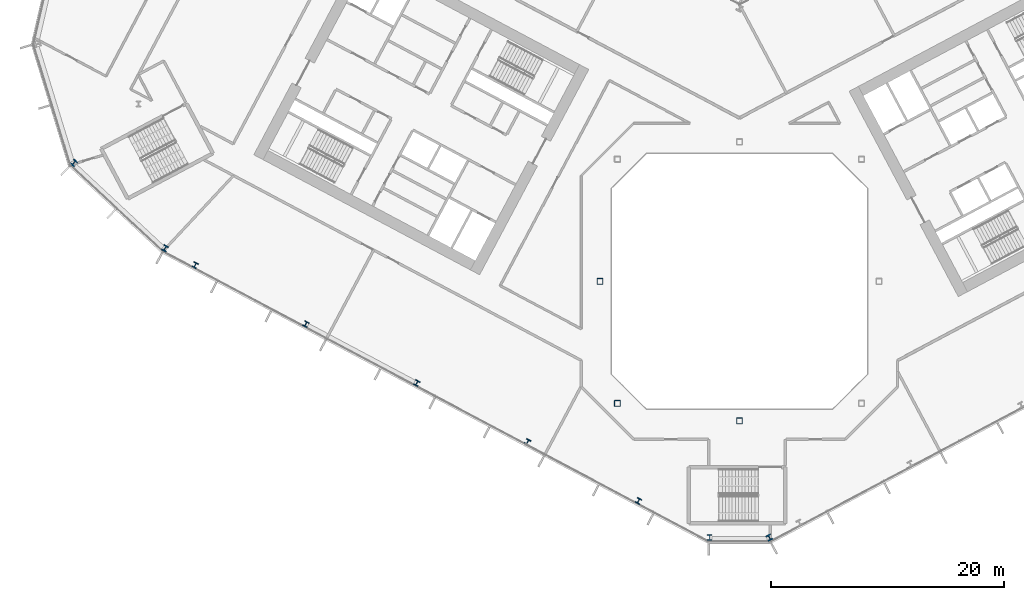
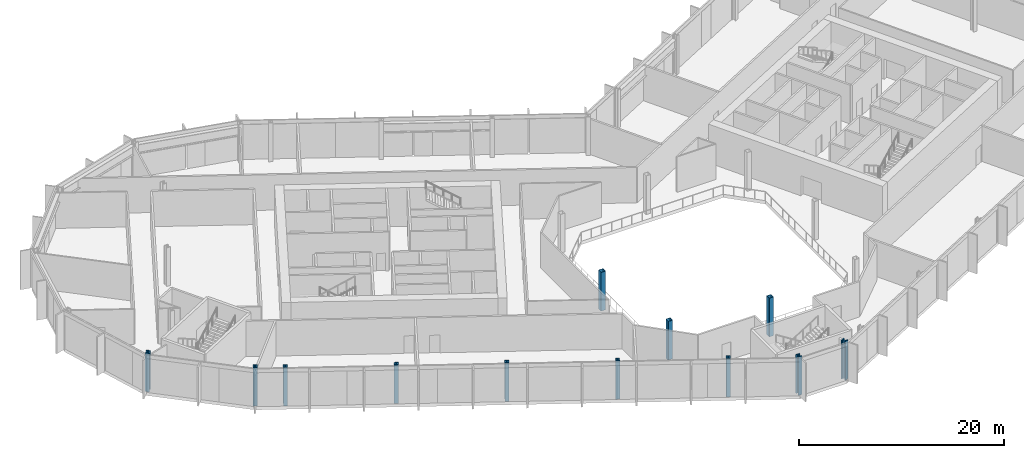
# One storey, part 1 of 32: 12 columns.
"""IFC4 building model written with IfcOpenShell, lengths in metres."""

from ifc_helpers import new_model, si_unit, direction, frame, origin, origin_2d, place, context, subcontext, project, spatial, hollow_rectangle, i_section, extrude, material, material_profile, profile_set, type_object, element, save


model = new_model("IFC4")

# Units and contexts
model_context = context("Model", 3, precision=1e-05, world=origin(), true_north=direction((0.0, 1.0)))
body_context = subcontext(model_context, "Body", "Model", "MODEL_VIEW")
ifc_project = project(units=[si_unit("LENGTHUNIT", "METRE"), si_unit("AREAUNIT", "SQUARE_METRE"), si_unit("VOLUMEUNIT", "CUBIC_METRE"), si_unit("PLANEANGLEUNIT", "RADIAN"), si_unit("MASSUNIT", "GRAM", prefix="KILO")], contexts=[model_context])

# Site, building, storey
site_placement = place(None, origin())
site = spatial("IfcSite", under=ifc_project, at=site_placement, CompositionType="ELEMENT")
building_placement = place(site_placement, origin())
building = spatial("IfcBuilding", under=site, at=building_placement, Name="Cormorant Relay Tower", CompositionType="ELEMENT")
storey_placement = place(building_placement, frame((0.0, 0.0, 75.39990234375)))
storey = spatial("IfcBuildingStorey", under=building, at=storey_placement, Name="L14", CompositionType="ELEMENT", Elevation=75.39990234375)

# Columns
ifc_material_1 = material(Name="Steel ASTM A500 Grade C (Fy 345 MPa)", Category="steel")
ifc_material_profile_1 = material_profile(ifc_material_1, hollow_rectangle(XDim=0.508056640625, YDim=0.508056640625, WallThickness=0.020751953125, InnerFilletRadius=0.01025390625, OuterFilletRadius=0.031005859375, at=origin_2d()), Name="HSS508x508x21")
ifc_profile_set_1 = profile_set([ifc_material_profile_1], Name="Steel ASTM A500 Grade C (Fy 345 MPa)")
column_type_1 = type_object("IfcColumnType", Name="Column HSS508x508x21", PredefinedType="COLUMN", material=ifc_profile_set_1)
for number, where, z_axis, x_axis, name in (
    (1, (0.0, -12.0, 0.0), (0.0, 0.0, 1.0), (1.0, 0.0, 0.0), "Column L14-007"),
    (2, (-10.5, -10.5, 0.0), (0.0, 0.0, 1.0), (1.0, 0.0, 0.0), "Column L14-009"),
    (3, (-12.0, 0.0, 0.0), (0.0, 0.0, 1.0), (1.0, 0.0, 0.0), "Column L14-015"),
):
    element("IfcColumn", number, at=place(storey_placement, frame(where, z_axis=z_axis, x_axis=x_axis)), inside=storey, type_object=column_type_1, Name=name, PredefinedType="COLUMN", context=body_context, shape_type="SweptSolid", body=[
        extrude(hollow_rectangle(XDim=0.508056640625, YDim=0.508056640625, WallThickness=0.020751953125, InnerFilletRadius=0.01025390625, OuterFilletRadius=0.031005859375, at=origin_2d()), origin(), (0.0, 0.0, 1.0), 4.60009765625),
    ])
ifc_material_2 = material(Name="Steel ASTM A992 (Fy 345 MPa)", Category="steel")
ifc_material_profile_2 = material_profile(ifc_material_2, i_section(OverallWidth=0.42431640625, OverallDepth=0.47509765625, WebThickness=0.0478515625, FlangeThickness=0.0771484375, FilletRadius=0.014892578125, at=origin_2d()), Name="W360x634")
ifc_profile_set_2 = profile_set([ifc_material_profile_2], Name="Steel ASTM A992 (Fy 345 MPa)")
column_type_2 = type_object("IfcColumnType", Name="Column W360x634", PredefinedType="COLUMN", material=ifc_profile_set_2)
for number, where, z_axis, x_axis, name in (
    (4, (-8.68701171875, -18.89306640625, 0.0), (0.0, 0.0, 1.0), (0.882947592859, -0.469471562786, 0.0), "Column L14-004"),
    (5, (-18.222900390625, -13.822998046875, 0.0), (0.0, 0.0, 1.0), (0.882947592859, -0.469471562786, 0.0), "Column L14-006"),
    (6, (-27.758056640625, -8.7529296875, 0.0), (0.0, 0.0, 1.0), (0.882947592859, -0.469471562786, 0.0), "Column L14-011"),
    (7, (-37.2939453125, -3.681884765625, 0.0), (0.0, 0.0, 1.0), (0.882947592859, -0.469471562786, 0.0), "Column L14-013"),
    (8, (-46.830078125, 1.387939453125, 0.0), (0.0, 0.0, 1.0), (0.882947592859, -0.469471562786, 0.0), "Column L14-017"),
):
    element("IfcColumn", number, at=place(storey_placement, frame(where, z_axis=z_axis, x_axis=x_axis)), inside=storey, type_object=column_type_2, Name=name, PredefinedType="COLUMN", context=body_context, shape_type="SweptSolid", body=[
        extrude(i_section(OverallWidth=0.42431640625, OverallDepth=0.47509765625, WebThickness=0.0478515625, FlangeThickness=0.0771484375, FilletRadius=0.014892578125, at=origin_2d()), origin(), (0.0, 0.0, 1.0), 4.60009765625),
    ])
ifc_material_3 = material(Name="Steel ASTM A992 (Fy 345 MPa)", Category="steel")
ifc_material_profile_3 = material_profile(ifc_material_3, i_section(OverallWidth=0.43701171875, OverallDepth=0.51318359375, WebThickness=0.060546875, FlangeThickness=0.096923828125, FilletRadius=0.015380859375, at=origin_2d()), Name="W360x818")
ifc_profile_set_3 = profile_set([ifc_material_profile_3], Name="Steel ASTM A992 (Fy 345 MPa)")
column_type_3 = type_object("IfcColumnType", Name="Column W360x818", PredefinedType="COLUMN", material=ifc_profile_set_3)
for number, where, z_axis, x_axis, name in (
    (9, (-2.56689453125, -22.0458984375, 0.0), (0.0, 0.0, 1.0), (1.0, 0.0, 0.0), "Column L14-001"),
    (10, (2.56689453125, -22.0458984375, 0.0), (0.0, 0.0, 1.0), (0.882947592859, 0.469471562786, 0.0), "Column L14-002"),
    (11, (-49.412109375, 2.8369140625, 0.0), (0.0, 0.0, 1.0), (0.882947592859, -0.469471562786, 0.0), "Column L14-018"),
    (12, (-57.2451171875, 10.18310546875, 0.0), (0.0, 0.0, 1.0), (0.731353701619, -0.681998360062, 0.0), "Column L14-021"),
):
    element("IfcColumn", number, at=place(storey_placement, frame(where, z_axis=z_axis, x_axis=x_axis)), inside=storey, type_object=column_type_3, Name=name, PredefinedType="COLUMN", context=body_context, shape_type="SweptSolid", body=[
        extrude(i_section(OverallWidth=0.43701171875, OverallDepth=0.51318359375, WebThickness=0.060546875, FlangeThickness=0.096923828125, FilletRadius=0.015380859375, at=origin_2d()), origin(), (0.0, 0.0, 1.0), 4.60009765625),
    ])

save(model, "model.ifc")
